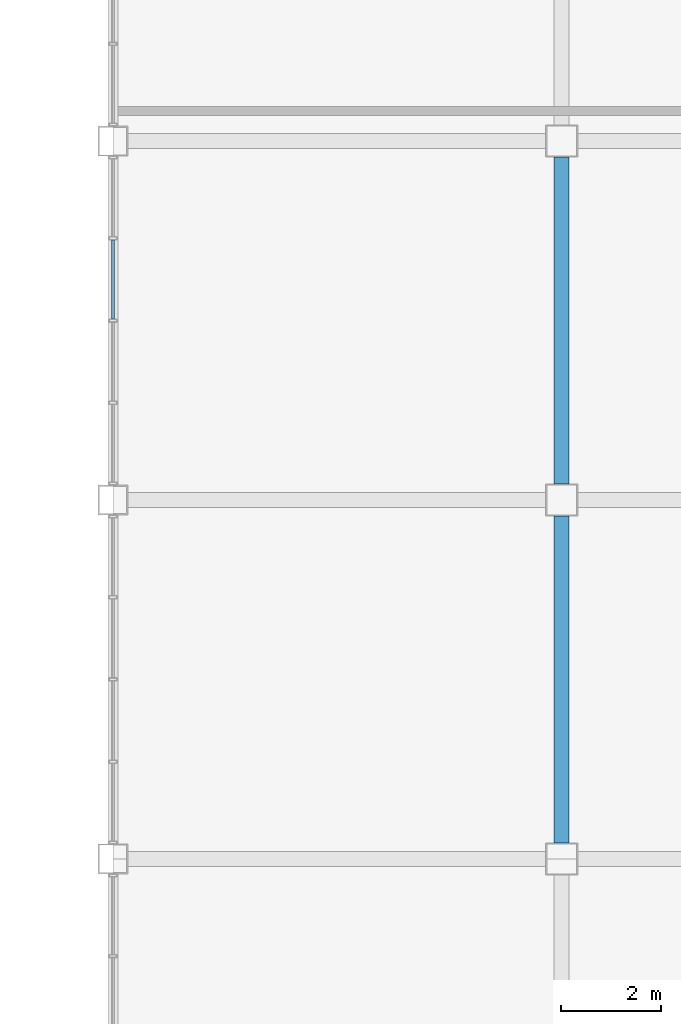
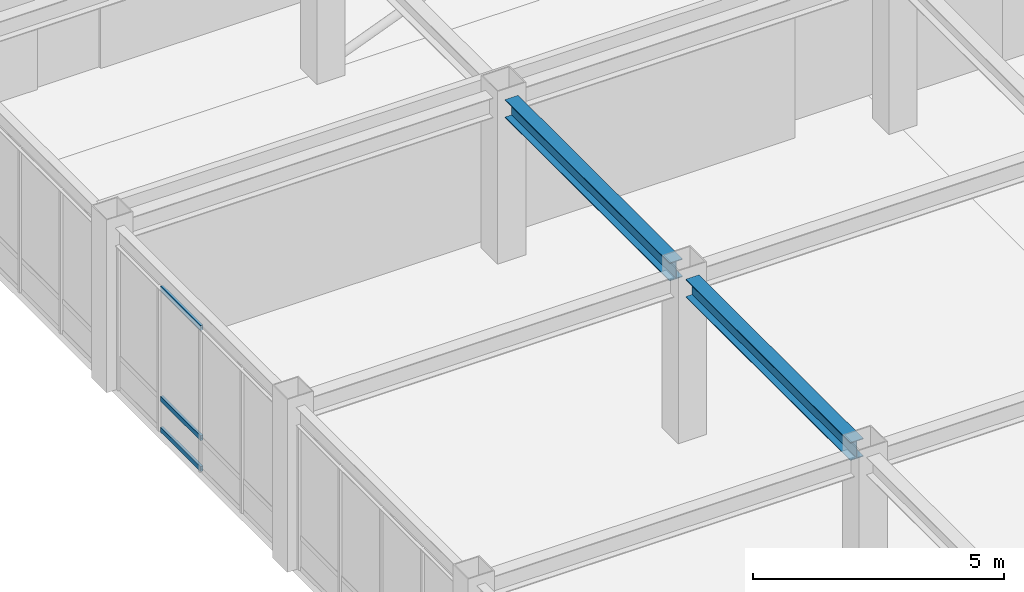
# One storey, part 46 of 106: 3 members, 2 beams, 1 element without a shape of its own.
"""IFC4 building model written with IfcOpenShell, lengths in metres."""

from ifc_helpers import new_model, si_unit, direction, frame, origin, origin_2d, place, context, subcontext, project, spatial, hollow_rectangle, i_section, extrude, material, material_profile, profile_set, type_object, element, aggregate, save


model = new_model("IFC4")

# Units and contexts
model_context = context("Model", 3, precision=1e-05, world=origin(), true_north=direction((0.0, 1.0)))
body_context = subcontext(model_context, "Body", "Model", "MODEL_VIEW")
ifc_project = project(units=[si_unit("LENGTHUNIT", "METRE"), si_unit("AREAUNIT", "SQUARE_METRE"), si_unit("VOLUMEUNIT", "CUBIC_METRE"), si_unit("PLANEANGLEUNIT", "RADIAN"), si_unit("MASSUNIT", "GRAM", prefix="KILO")], contexts=[model_context])

# Site, building, storey
site_placement = place(None, origin())
site = spatial("IfcSite", under=ifc_project, at=site_placement, CompositionType="ELEMENT")
building_placement = place(site_placement, origin())
building = spatial("IfcBuilding", under=site, at=building_placement, Name="Kazanami Central Library", CompositionType="ELEMENT")
storey_placement = place(building_placement, frame((0.0, 0.0, 12.800048828125)))
storey = spatial("IfcBuildingStorey", under=building, at=storey_placement, Name="L04", CompositionType="ELEMENT", Elevation=12.800048828125)

# Beams
ifc_material_1 = material(Name="Steel SN490B (325 MPa)", Category="steel")
ifc_material_profile_1 = material_profile(ifc_material_1, i_section(OverallWidth=0.300048828125, OverallDepth=0.43994140625, WebThickness=0.010986328125, FlangeThickness=0.01806640625, at=origin_2d()), Name="H-440x300x11x18")
ifc_profile_set_1 = profile_set([ifc_material_profile_1], Name="Steel SN490B (325 MPa)")
beam_type = type_object("IfcBeamType", Name="BM-G-Y4", PredefinedType="BEAM", material=ifc_profile_set_1)
beam_1_placement = place(storey_placement, frame((126.0, 50.722900390625, 3.719970703125), z_axis=(0.0, 1.0, 0.0), x_axis=(-1.0, 0.0, 0.0)))
element("IfcBeam", 1, at=beam_1_placement, inside=storey, type_object=beam_type, Name="Girder G-Y4 L04 15/H-J", PredefinedType="BEAM", context=body_context, shape_type="SweptSolid", body=[
    extrude(i_section(OverallWidth=0.300048828125, OverallDepth=0.43994140625, WebThickness=0.010986328125, FlangeThickness=0.01806640625, at=origin_2d()), origin(), (0.0, 0.0, 1.0), 6.55419921875),
])
beam_2_placement = place(storey_placement, frame((126.0, 57.923095703125, 3.719970703125), z_axis=(0.0, 1.0, 0.0), x_axis=(-1.0, 0.0, 0.0)))
element("IfcBeam", 2, at=beam_2_placement, inside=storey, type_object=beam_type, Name="Girder G-Y4 L04 15/J-K", PredefinedType="BEAM", context=body_context, shape_type="SweptSolid", body=[
    extrude(i_section(OverallWidth=0.300048828125, OverallDepth=0.43994140625, WebThickness=0.010986328125, FlangeThickness=0.01806640625, at=origin_2d()), origin(), (0.0, 0.0, 1.0), 6.553955078125),
])

# Curtain wall, members
ifc_material_2 = material(Name="Acid-Etched Low-E Laminated Glass", Category="glass")
curtain_wall_type = type_object("IfcCurtainWallType", Name="CW-6600x3490-M180", PredefinedType="USERDEFINED", material=ifc_material_2)
curtain_wall_placement = place(storey_placement, origin())
curtain_wall = element("IfcCurtainWall", 3, at=curtain_wall_placement, inside=storey, type_object=curtain_wall_type, Name="Covered Link Bridge Curtain Wall CW-48 L04 W-14-08", ObjectType="UNITISED CURTAIN WALL", PredefinedType="USERDEFINED")
ifc_material_3 = material(Name="Anodised Aluminium A6063-T5", Category="aluminium")
ifc_material_profile_2 = material_profile(ifc_material_3, hollow_rectangle(XDim=0.06005859375, YDim=0.1201171875, WallThickness=0.00341796875, at=origin_2d()), Name="ALU-TRAN-60x120x3.5")
ifc_profile_set_2 = profile_set([ifc_material_profile_2], Name="Anodised Aluminium A6063-T5")
member_type = type_object("IfcMemberType", Name="MEM-CW-T3", PredefinedType="USERDEFINED", material=ifc_profile_set_2)
member_1_placement = place(storey_placement, frame((117.0, 61.22998046875, 0.030029296875), z_axis=(0.0, 1.0, 0.0), x_axis=(-1.0, 0.0, 0.0)))
member_1 = element("IfcMember", 4, at=member_1_placement, type_object=member_type, Name="CW-48 transom 3.1", ObjectType="TRANSOM", PredefinedType="USERDEFINED", context=body_context, shape_type="SweptSolid", body=[
    extrude(hollow_rectangle(XDim=0.06005859375, YDim=0.1201171875, WallThickness=0.00341796875, at=origin_2d()), origin(), (0.0, 0.0, 1.0), 1.590087890625),
])
member_2_placement = place(storey_placement, frame((117.0, 61.22998046875, 0.780029296875), z_axis=(0.0, 1.0, 0.0), x_axis=(-1.0, 0.0, 0.0)))
member_2 = element("IfcMember", 5, at=member_2_placement, type_object=member_type, Name="CW-48 transom 3.2", ObjectType="TRANSOM", PredefinedType="USERDEFINED", context=body_context, shape_type="SweptSolid", body=[
    extrude(hollow_rectangle(XDim=0.06005859375, YDim=0.1201171875, WallThickness=0.00341796875, at=origin_2d()), origin(), (0.0, 0.0, 1.0), 1.590087890625),
])
member_3_placement = place(storey_placement, frame((117.0, 61.22998046875, 3.4599609375), z_axis=(0.0, 1.0, 0.0), x_axis=(-1.0, 0.0, 0.0)))
member_3 = element("IfcMember", 6, at=member_3_placement, type_object=member_type, Name="CW-48 transom 3.3", ObjectType="TRANSOM", PredefinedType="USERDEFINED", context=body_context, shape_type="SweptSolid", body=[
    extrude(hollow_rectangle(XDim=0.06005859375, YDim=0.1201171875, WallThickness=0.00341796875, at=origin_2d()), origin(), (0.0, 0.0, 1.0), 1.590087890625),
])
aggregate(curtain_wall, [member_1, member_2, member_3])

save(model, "model.ifc")
